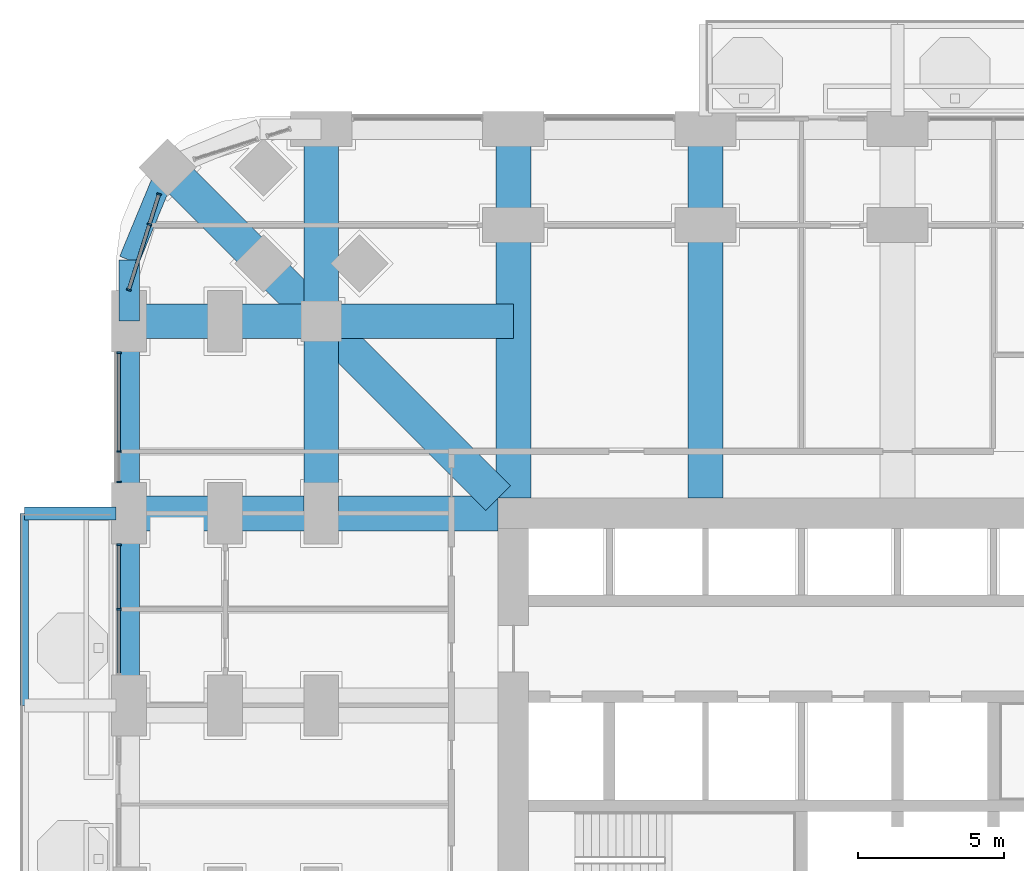
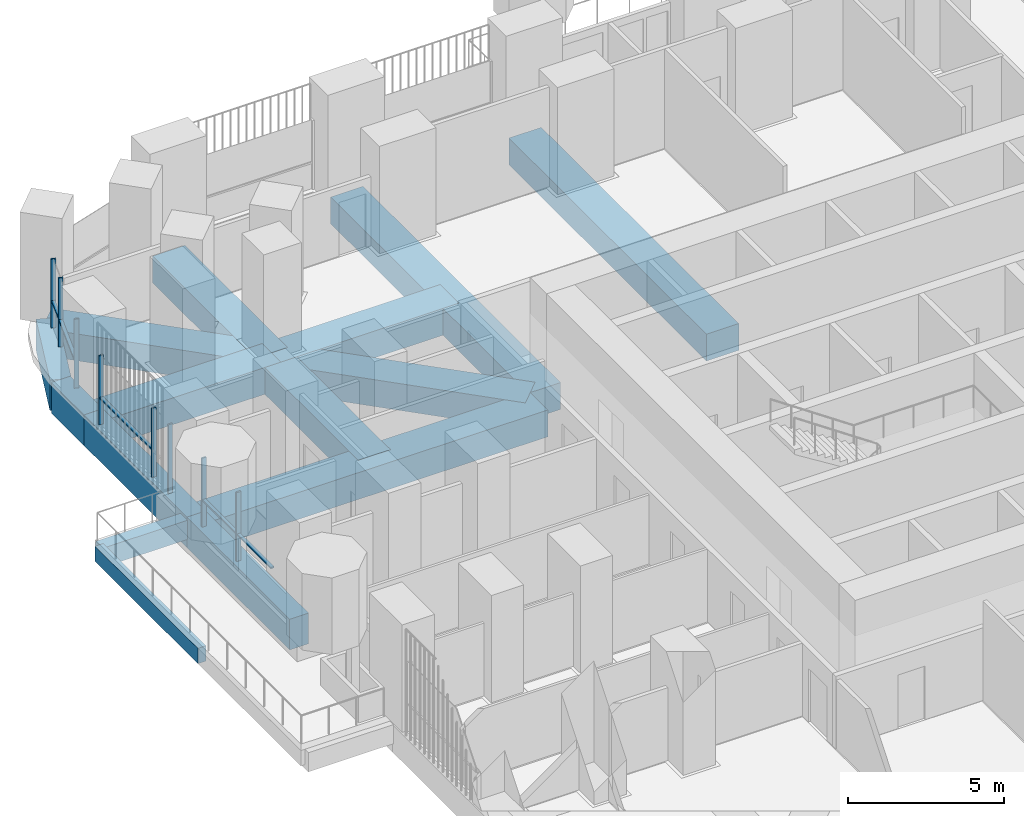
# One storey, part 6 of 26: 15 beams, 13 members, 3 elements without a shape of their own.
"""IFC4 building model written with IfcOpenShell, lengths in metres."""

import ifcopenshell
import ifcopenshell.guid

model = None  # the IFC model being written
_history = None  # IfcOwnerHistory: only IFC2X3 demands one
_inside = {}  # id of a spatial element -> (the spatial element, [elements in it])
_under = {}  # id of a project, library or spatial element -> (it, [spatial elements below it])
_declared = {}  # id of a project -> (the project, [libraries it declares])
_typed = {}  # id of a type object -> (the type object, [elements of that type])
_made_of = {}  # id of a material, layer set ... -> (it, [elements and type objects made of it])


def new_model(schema):
    """Start an empty IFC model of exactly this schema.

    Asked for "IFC4X3", IfcOpenShell would pick the latest addendum, in which some entities
    have other attributes; the version numbers below select the first issue.
    IFC2X3 requires an IfcOwnerHistory on every rooted entity: one is made here for all.
    """
    global model, _history
    if schema == "IFC4X3":
        model = ifcopenshell.file(schema_version=(4, 3, 0, 0))
    else:
        model = ifcopenshell.file(schema=schema)
    _inside.clear()
    _under.clear()
    _declared.clear()
    _typed.clear()
    _made_of.clear()
    _history = None
    if model.schema == "IFC2X3":
        org = make("IfcOrganization", Name="unknown")
        user = make(
            "IfcPersonAndOrganization",
            ThePerson=make("IfcPerson", FamilyName="unknown"),
            TheOrganization=org,
        )
        app = make(
            "IfcApplication",
            ApplicationDeveloper=org,
            Version="unknown",
            ApplicationFullName="unknown",
            ApplicationIdentifier="unknown",
        )
        _history = make(
            "IfcOwnerHistory",
            OwningUser=user,
            OwningApplication=app,
            ChangeAction="ADDED",
            CreationDate=0,
        )
    return model


def make(cls, **values):
    """One entity of the class cls with the attributes given. An attribute that is None is left unset."""
    return model.create_entity(
        cls, **{name: value for name, value in values.items() if value is not None}
    )


def rooted(cls, **values):
    """An entity with a GlobalId (a new one), such as an element, a storey or a relation."""
    return make(cls, GlobalId=ifcopenshell.guid.new(), OwnerHistory=_history, **values)


def si_unit(unit_type, name, prefix=None):
    """IfcSIUnit, for example si_unit("LENGTHUNIT", "METRE", prefix="MILLI")."""
    return make("IfcSIUnit", UnitType=unit_type, Prefix=prefix, Name=name)


def assignment(units):
    """IfcUnitAssignment: the units of a project."""
    return None if units is None else make("IfcUnitAssignment", Units=units)


def point(xyz):
    """IfcCartesianPoint."""
    return None if xyz is None else make("IfcCartesianPoint", Coordinates=xyz)


def direction(xyz):
    """IfcDirection."""
    return None if xyz is None else make("IfcDirection", DirectionRatios=xyz)


def frame(location, z_axis=None, x_axis=None):
    """IfcAxis2Placement3D, a coordinate frame: its origin and axes. An axis left out is left unset."""
    return make(
        "IfcAxis2Placement3D",
        Location=point(location),
        Axis=direction(z_axis),
        RefDirection=direction(x_axis),
    )


def frame_2d(location, x_axis=None):
    """IfcAxis2Placement2D, a coordinate frame in the plane: its origin and x axis."""
    return make(
        "IfcAxis2Placement2D", Location=point(location), RefDirection=direction(x_axis)
    )


def origin():
    """The frame at (0, 0, 0) with its axes left unset."""
    return frame((0.0, 0.0, 0.0))


def origin_2d():
    """The frame at (0, 0) in the plane with its x axis left unset."""
    return frame_2d((0.0, 0.0))


def place(relative_to, where):
    """IfcLocalPlacement: puts the frame where relative to a parent placement (None: the world)."""
    return make(
        "IfcLocalPlacement", PlacementRelTo=relative_to, RelativePlacement=where
    )


def context(
    kind, dimensions, precision=None, world=None, true_north=None, identifier=None
):
    """IfcGeometricRepresentationContext, for example the 3D "Model" context."""
    return make(
        "IfcGeometricRepresentationContext",
        ContextIdentifier=identifier,
        ContextType=kind,
        CoordinateSpaceDimension=dimensions,
        Precision=precision,
        WorldCoordinateSystem=world,
        TrueNorth=true_north,
    )


def subcontext(parent, identifier, kind, view, scale=None):
    """IfcGeometricRepresentationSubContext, for example "Body" below "Model"."""
    return make(
        "IfcGeometricRepresentationSubContext",
        ContextIdentifier=identifier,
        ContextType=kind,
        ParentContext=parent,
        TargetScale=scale,
        TargetView=view,
    )


def project(units=None, contexts=None):
    """IfcProject with its units and contexts."""
    return rooted(
        "IfcProject",
        Name="project",
        RepresentationContexts=contexts,
        UnitsInContext=assignment(units),
    )


def spatial(cls, under=None, at=None, **own):
    """A site, building, storey or space (cls), placed at a placement, below another one or the project."""
    s = rooted(cls, ObjectPlacement=at, **own)
    if under is not None:
        _under.setdefault(under.id(), (under, []))[1].append(s)
    return s


def profile(cls, at=None, kind="AREA", **sizes):
    """A parametric profile (cls). Its sizes go by their IFC names, for example OverallWidth=200.0."""
    return make(cls, ProfileType=kind, Position=at, **sizes)


def rectangle(**sizes):
    """IfcRectangleProfileDef."""
    return profile("IfcRectangleProfileDef", **sizes)


def extrude(swept, where, along, depth):
    """IfcExtrudedAreaSolid: the profile swept, set in the frame where, extruded along a direction by depth."""
    return make(
        "IfcExtrudedAreaSolid",
        SweptArea=swept,
        Position=where,
        ExtrudedDirection=direction(along),
        Depth=depth,
    )


def shape(context_of_items, identifier, shape_type, items):
    """IfcShapeRepresentation: the items that make up one representation, for example the "Body"."""
    return make(
        "IfcShapeRepresentation",
        ContextOfItems=context_of_items,
        RepresentationIdentifier=identifier,
        RepresentationType=shape_type,
        Items=items,
    )


def material(Name=None, Category=None):
    """IfcMaterial."""
    return make("IfcMaterial", Name=Name, Category=Category)


def material_profile(
    of_material, cross_section, Name=None, Category=None, Priority=None
):
    """IfcMaterialProfile: a cross section and its material."""
    return make(
        "IfcMaterialProfile",
        Name=Name,
        Material=of_material,
        Profile=cross_section,
        Priority=Priority,
        Category=Category,
    )


def profile_set(profiles, Name=None, composite=None):
    """IfcMaterialProfileSet."""
    return make(
        "IfcMaterialProfileSet",
        Name=Name,
        MaterialProfiles=profiles,
        CompositeProfile=composite,
    )


def made_of(thing, what):
    """Note that an element or type object is made of a material, layer set ...; save() writes the relation."""
    if what is not None:
        _made_of.setdefault(what.id(), (what, []))[1].append(thing)
    return thing


def type_object(cls, material=None, **own):
    """A type object (cls), such as IfcWallType, which elements share."""
    return made_of(rooted(cls, **own), material)


def element(
    cls,
    number,
    at=None,
    inside=None,
    cuts=None,
    type_object=None,
    material=None,
    context=None,
    identifier="Body",
    shape_type=None,
    held_by="IfcProductDefinitionShape",
    body=None,
    shapes=None,
    **own,
):
    """One element of the class cls, such as IfcWall. Its Tag is "e" and its number.

    at: its placement. inside: the storey or other place that contains it. cuts: it is an
    opening in that element (IfcRelVoidsElement). A single representation is given by context,
    identifier, shape_type and body (its items); several are given by shapes. held_by: the class
    of the entity that holds the representations. save() writes the other relations.
    """
    e = rooted(cls, Tag="e%d" % number, ObjectPlacement=at, **own)
    if body is not None:
        shapes = [shape(context, identifier, shape_type, body)]
    if shapes is not None:
        e.Representation = make(held_by, Representations=shapes)
    if inside is not None:
        _inside.setdefault(inside.id(), (inside, []))[1].append(e)
    if cuts is not None:
        rooted(
            "IfcRelVoidsElement", RelatingBuildingElement=cuts, RelatedOpeningElement=e
        )
    if type_object is not None:
        _typed.setdefault(type_object.id(), (type_object, []))[1].append(e)
    return made_of(e, material)


def aggregate(whole, parts):
    """IfcRelAggregates: a whole, such as a stair, and the parts it consists of."""
    return rooted("IfcRelAggregates", RelatingObject=whole, RelatedObjects=parts)


def save(model, path):
    """Write the relations noted so far, then the file.

    IfcRelAggregates (storeys below a building ...), IfcRelContainedInSpatialStructure (elements
    in a storey), IfcRelDefinesByType, IfcRelAssociatesMaterial and IfcRelDeclares: one each for
    every whole, place, type object, material and project.
    """
    for whole, parts in _under.values():
        aggregate(whole, parts)
    for where, things in _inside.values():
        rooted(
            "IfcRelContainedInSpatialStructure",
            RelatedElements=things,
            RelatingStructure=where,
        )
    for kind, things in _typed.values():
        rooted("IfcRelDefinesByType", RelatedObjects=things, RelatingType=kind)
    for what, things in _made_of.values():
        rooted("IfcRelAssociatesMaterial", RelatedObjects=things, RelatingMaterial=what)
    for by, libraries in _declared.values():
        rooted("IfcRelDeclares", RelatingContext=by, RelatedDefinitions=libraries)
    model.write(path)


model = new_model("IFC4")

# Units and contexts
model_context = context("Model", 3, precision=1e-05, world=origin(), true_north=direction((0.0, 1.0)))
body_context = subcontext(model_context, "Body", "Model", "MODEL_VIEW")
ifc_project = project(units=[si_unit("LENGTHUNIT", "METRE"), si_unit("AREAUNIT", "SQUARE_METRE"), si_unit("VOLUMEUNIT", "CUBIC_METRE"), si_unit("PLANEANGLEUNIT", "RADIAN"), si_unit("MASSUNIT", "GRAM", prefix="KILO")], contexts=[model_context])

# Site, building, storey
site_placement = place(None, origin())
site = spatial("IfcSite", under=ifc_project, at=site_placement, CompositionType="ELEMENT")
building_placement = place(site_placement, origin())
building = spatial("IfcBuilding", under=site, at=building_placement, Name="Cobogo Forest Laboratory Tower", CompositionType="ELEMENT")
storey_placement = place(building_placement, frame((0.0, 0.0, 33.89990234375)))
storey = spatial("IfcBuildingStorey", under=building, at=storey_placement, Name="L07", CompositionType="ELEMENT", Elevation=33.89990234375)

# Beams
ifc_material_1 = material(Name="Concrete HA-40 (C40/50)", Category="concrete")
ifc_material_profile_1 = material_profile(ifc_material_1, rectangle(XDim=0.449951171875, YDim=0.75, at=origin_2d()), Name="RC 450x750")
ifc_profile_set_1 = profile_set([ifc_material_profile_1], Name="Concrete HA-40 (C40/50)")
beam_type_1 = type_object("IfcBeamType", Name="Balcony cantilever beam 450x750", PredefinedType="BEAM", material=ifc_profile_set_1)
beam_1_placement = place(storey_placement, frame((-0.449951171875, 33.0, -0.625), z_axis=(-1.0, 0.0, 0.0), x_axis=(0.0, -1.0, 0.0)))
element("IfcBeam", 1, at=beam_1_placement, inside=storey, type_object=beam_type_1, Name="CB1 BAL-W1-C3 L07", PredefinedType="BEAM", context=body_context, shape_type="SweptSolid", body=[
    extrude(rectangle(XDim=0.449951171875, YDim=0.75, at=origin_2d()), origin(), (0.0, 0.0, 1.0), 3.150146484375),
])
ifc_material_profile_2 = material_profile(ifc_material_1, rectangle(XDim=0.300048828125, YDim=0.60009765625, at=origin_2d()), Name="RC 300x600")
ifc_profile_set_2 = profile_set([ifc_material_profile_2], Name="Concrete HA-40 (C40/50)")
beam_type_2 = type_object("IfcBeamType", Name="Balcony edge beam 300x600", PredefinedType="BEAM", material=ifc_profile_set_2)
beam_2_placement = place(storey_placement, frame((-3.60009765625, 26.39990234375, -0.5498046875), z_axis=(0.0, 1.0, 0.0), x_axis=(-1.0, 0.0, 0.0)))
element("IfcBeam", 2, at=beam_2_placement, inside=storey, type_object=beam_type_2, Name="BB1 BAL-W1-T2 L07", PredefinedType="BEAM", context=body_context, shape_type="SweptSolid", body=[
    extrude(rectangle(XDim=0.300048828125, YDim=0.60009765625, at=origin_2d()), origin(), (0.0, 0.0, 1.0), 6.60009765625),
])
ifc_material_profile_3 = material_profile(ifc_material_1, rectangle(XDim=1.199951171875, YDim=1.050048828125, at=origin_2d()), Name="RC 1200x1050")
ifc_profile_set_3 = profile_set([ifc_material_profile_3], Name="Concrete HA-40 (C40/50)")
beam_type_3 = type_object("IfcBeamType", Name="Laboratory floor wide beam 1200x1050", PredefinedType="BEAM", material=ifc_profile_set_3)
for number, where, z_axis, x_axis, name in (
    (3, (13.199951171875, 33.52490234375, -0.824951171875), (0.0, 1.0, 0.0), (-1.0, 0.0, 0.0), "RB1 R-3-N L07"),
    (4, (19.800048828125, 33.52490234375, -0.824951171875), (0.0, 1.0, 0.0), (-1.0, 0.0, 0.0), "RB1 R-4-N L07"),
    (5, (12.675048828125, 33.0, -0.824951171875), (-1.0, 0.0, 0.0), (0.0, -1.0, 0.0), "RB1 R-F-W L07"),
):
    element("IfcBeam", number, at=place(storey_placement, frame(where, z_axis=z_axis, x_axis=x_axis)), inside=storey, type_object=beam_type_3, Name=name, PredefinedType="BEAM", context=body_context, shape_type="SweptSolid", body=[
        extrude(rectangle(XDim=1.199951171875, YDim=1.050048828125, at=origin_2d()), origin(), (0.0, 0.0, 1.0), 12.675048828125),
    ])
beam_3_placement = place(storey_placement, frame((6.60009765625, 46.199951171875, -0.824951171875), z_axis=(0.0, -1.0, 0.0), x_axis=(1.0, 0.0, 0.0)))
element("IfcBeam", 6, at=beam_3_placement, inside=storey, type_object=beam_type_3, Name="RB1 G-NW-XF L07", PredefinedType="BEAM", context=body_context, shape_type="SweptSolid", body=[
    extrude(rectangle(XDim=1.199951171875, YDim=1.050048828125, at=origin_2d()), origin(), (0.0, 0.0, 1.0), 6.599853515625),
])
for number, where, z_axis, x_axis, name in (
    (7, (6.60009765625, 39.60009765625, -0.824951171875), (0.0, -1.0, 0.0), (1.0, 0.0, 0.0), "RB1 G-NW-XC L07"),
    (8, (0.0, 39.60009765625, -0.824951171875), (1.0, 0.0, 0.0), (0.0, 1.0, 0.0), "RB1 G-NW-YF L07"),
):
    element("IfcBeam", number, at=place(storey_placement, frame(where, z_axis=z_axis, x_axis=x_axis)), inside=storey, type_object=beam_type_3, Name=name, PredefinedType="BEAM", context=body_context, shape_type="SweptSolid", body=[
        extrude(rectangle(XDim=1.199951171875, YDim=1.050048828125, at=origin_2d()), origin(), (0.0, 0.0, 1.0), 6.60009765625),
    ])
beam_4_placement = place(storey_placement, frame((6.60009765625, 39.60009765625, -0.824951171875), z_axis=(1.0, 0.0, 0.0), x_axis=(0.0, 1.0, 0.0)))
element("IfcBeam", 9, at=beam_4_placement, inside=storey, type_object=beam_type_3, Name="RB1 G-NW-YC L07", PredefinedType="BEAM", context=body_context, shape_type="SweptSolid", body=[
    extrude(rectangle(XDim=1.199951171875, YDim=1.050048828125, at=origin_2d()), origin(), (0.0, 0.0, 1.0), 6.599853515625),
])
beam_5_placement = place(storey_placement, frame((1.318115234375, 44.882080078125, -0.824951171875), z_axis=(0.707106781187, -0.707106781187, 0.0), x_axis=(0.707106781187, 0.707106781187, 0.0)))
element("IfcBeam", 10, at=beam_5_placement, inside=storey, type_object=beam_type_3, Name="RB1 G-NW-D1 L07", PredefinedType="BEAM", context=body_context, shape_type="SweptSolid", body=[
    extrude(rectangle(XDim=1.199951171875, YDim=1.050048828125, at=origin_2d()), origin(), (0.0, 0.0, 1.0), 7.469970703125),
])
beam_6_placement = place(storey_placement, frame((6.60009765625, 39.60009765625, -0.824951171875), z_axis=(0.707092572697, -0.70712098939, 0.0), x_axis=(0.70712098939, 0.707092572697, 0.0)))
element("IfcBeam", 11, at=beam_6_placement, inside=storey, type_object=beam_type_3, Name="RB1 G-NW-D2 L07", PredefinedType="BEAM", context=body_context, shape_type="SweptSolid", body=[
    extrude(rectangle(XDim=1.199951171875, YDim=1.050048828125, at=origin_2d()), origin(), (0.0, 0.0, 1.0), 8.591552734375),
])

# Curtain wall, members
ifc_material_2 = material(Name="Aluminium curtain wall", Category="aluminium")
curtain_wall_type = type_object("IfcCurtainWallType", Name="CW-1 unitised curtain wall, clear glazing, laboratory floors zones A and B", PredefinedType="USERDEFINED", material=ifc_material_2)
curtain_wall_1_placement = place(storey_placement, origin())
curtain_wall_1 = element("IfcCurtainWall", 12, at=curtain_wall_1_placement, inside=storey, type_object=curtain_wall_type, Name="Curtain wall 26 L07", ObjectType="UNITISED CURTAIN WALL", PredefinedType="USERDEFINED")
ifc_material_3 = material(Name="Aluminium mullion", Category="aluminium")
ifc_material_profile_4 = material_profile(ifc_material_3, rectangle(XDim=0.06005859375, YDim=0.159912109375, at=origin_2d()), Name="AL 60x160")
ifc_profile_set_4 = profile_set([ifc_material_profile_4], Name="Aluminium mullion")
member_type_1 = type_object("IfcMemberType", Name="MU-1 aluminium mullion 60x160", PredefinedType="MULLION", material=ifc_profile_set_4)
member_1_placement = place(storey_placement, frame((1.02734375, 43.961181640625, 0.0), z_axis=(0.0, 0.0, 1.0), x_axis=(-0.30113535792, -0.95358140513, 0.0)))
member_1 = element("IfcMember", 13, at=member_1_placement, type_object=member_type_1, Name="CW-1 mullion 1", PredefinedType="MULLION", context=body_context, shape_type="SweptSolid", body=[
    extrude(rectangle(XDim=0.06005859375, YDim=0.159912109375, at=origin_2d()), origin(), (0.0, 0.0, 1.0), 2.7001953125),
])
member_2_placement = place(storey_placement, frame((0.69970703125, 42.924072265625, 0.0), z_axis=(0.0, 0.0, 1.0), x_axis=(-0.30113535792, -0.95358140513, 0.0)))
member_2 = element("IfcMember", 14, at=member_2_placement, type_object=member_type_1, Name="CW-1 mullion 2", PredefinedType="MULLION", context=body_context, shape_type="SweptSolid", body=[
    extrude(rectangle(XDim=0.06005859375, YDim=0.159912109375, at=origin_2d()), origin(), (0.0, 0.0, 1.0), 2.7001953125),
])
member_3_placement = place(storey_placement, frame((-0.00927734375, 40.6787109375, 0.0), z_axis=(0.0, 0.0, 1.0), x_axis=(-0.30113535792, -0.95358140513, 0.0)))
member_3 = element("IfcMember", 15, at=member_3_placement, type_object=member_type_1, Name="CW-1 mullion 3", PredefinedType="MULLION", context=body_context, shape_type="SweptSolid", body=[
    extrude(rectangle(XDim=0.06005859375, YDim=0.159912109375, at=origin_2d()), origin(), (0.0, 0.0, 1.0), 2.7001953125),
])

curtain_wall_2_placement = place(storey_placement, origin())
curtain_wall_2 = element("IfcCurtainWall", 16, at=curtain_wall_2_placement, inside=storey, type_object=curtain_wall_type, Name="Curtain wall 27 L07", ObjectType="UNITISED CURTAIN WALL", PredefinedType="USERDEFINED")
member_4_placement = place(storey_placement, frame((-0.35009765625, 38.52001953125, 0.0), z_axis=(0.0, 0.0, 1.0), x_axis=(0.0, -1.0, 0.0)))
member_4 = element("IfcMember", 17, at=member_4_placement, type_object=member_type_1, Name="CW-1 mullion 1", PredefinedType="MULLION", context=body_context, shape_type="SweptSolid", body=[
    extrude(rectangle(XDim=0.06005859375, YDim=0.159912109375, at=origin_2d()), origin(), (0.0, 0.0, 1.0), 2.7001953125),
])
member_5_placement = place(storey_placement, frame((-0.35009765625, 35.125, 0.0), z_axis=(0.0, 0.0, 1.0), x_axis=(0.0, -1.0, 0.0)))
member_5 = element("IfcMember", 18, at=member_5_placement, type_object=member_type_1, Name="CW-1 mullion 2", PredefinedType="MULLION", context=body_context, shape_type="SweptSolid", body=[
    extrude(rectangle(XDim=0.06005859375, YDim=0.159912109375, at=origin_2d()), origin(), (0.0, 0.0, 1.0), 2.7001953125),
])
member_6_placement = place(storey_placement, frame((-0.35009765625, 34.080078125, 0.0), z_axis=(0.0, 0.0, 1.0), x_axis=(0.0, -1.0, 0.0)))
member_6 = element("IfcMember", 19, at=member_6_placement, type_object=member_type_1, Name="CW-1 mullion 3", PredefinedType="MULLION", context=body_context, shape_type="SweptSolid", body=[
    extrude(rectangle(XDim=0.06005859375, YDim=0.159912109375, at=origin_2d()), origin(), (0.0, 0.0, 1.0), 2.7001953125),
])

curtain_wall_3_placement = place(storey_placement, origin())
curtain_wall_3 = element("IfcCurtainWall", 20, at=curtain_wall_3_placement, inside=storey, type_object=curtain_wall_type, Name="Curtain wall 28 L07", ObjectType="UNITISED CURTAIN WALL", PredefinedType="USERDEFINED")
member_7_placement = place(storey_placement, frame((-0.35009765625, 31.919921875, 0.0), z_axis=(0.0, 0.0, 1.0), x_axis=(0.0, -1.0, 0.0)))
member_7 = element("IfcMember", 21, at=member_7_placement, type_object=member_type_1, Name="CW-1 mullion 1", PredefinedType="MULLION", context=body_context, shape_type="SweptSolid", body=[
    extrude(rectangle(XDim=0.06005859375, YDim=0.159912109375, at=origin_2d()), origin(), (0.0, 0.0, 1.0), 2.7001953125),
])
member_8_placement = place(storey_placement, frame((-0.35009765625, 29.699951171875, 0.0), z_axis=(0.0, 0.0, 1.0), x_axis=(0.0, -1.0, 0.0)))
member_8 = element("IfcMember", 22, at=member_8_placement, type_object=member_type_1, Name="CW-1 mullion 2", PredefinedType="MULLION", context=body_context, shape_type="SweptSolid", body=[
    extrude(rectangle(XDim=0.06005859375, YDim=0.159912109375, at=origin_2d()), origin(), (0.0, 0.0, 1.0), 2.7001953125),
])

# Beams
ifc_material_profile_5 = material_profile(ifc_material_1, rectangle(XDim=0.699951171875, YDim=1.199951171875, at=origin_2d()), Name="RC 700x1200")
ifc_profile_set_5 = profile_set([ifc_material_profile_5], Name="Concrete HA-40 (C40/50)")
beam_type_4 = type_object("IfcBeamType", Name="Perimeter edge beam 700x1200", PredefinedType="BEAM", material=ifc_profile_set_5)
for number, where, z_axis, x_axis, name in (
    (23, (0.0, 26.39990234375, -0.89990234375), (0.0, 1.0, 0.0), (-1.0, 0.0, 0.0), "EB1 E-W4 L07"),
    (24, (0.0, 33.0, -0.89990234375), (0.0, 1.0, 0.0), (-1.0, 0.0, 0.0), "EB1 E-W5 L07"),
):
    element("IfcBeam", number, at=place(storey_placement, frame(where, z_axis=z_axis, x_axis=x_axis)), inside=storey, type_object=beam_type_4, Name=name, PredefinedType="BEAM", context=body_context, shape_type="SweptSolid", body=[
        extrude(rectangle(XDim=0.699951171875, YDim=1.199951171875, at=origin_2d()), origin(), (0.0, 0.0, 1.0), 6.60009765625),
    ])
beam_7_placement = place(storey_placement, frame((0.0, 39.60009765625, -0.89990234375), z_axis=(0.0, 1.0, 0.0), x_axis=(-1.0, 0.0, 0.0)))
element("IfcBeam", 25, at=beam_7_placement, inside=storey, type_object=beam_type_4, Name="EB1 E-NWW1 L07", PredefinedType="BEAM", context=body_context, shape_type="SweptSolid", body=[
    extrude(rectangle(XDim=0.699951171875, YDim=1.199951171875, at=origin_2d()), origin(), (0.0, 0.0, 1.0), 2.099853515625),
])
beam_8_placement = place(storey_placement, frame((0.0, 41.699951171875, -0.89990234375), z_axis=(0.382691928466, 0.923876013265, 0.0), x_axis=(-0.923876013265, 0.382691928466, 0.0)))
element("IfcBeam", 26, at=beam_8_placement, inside=storey, type_object=beam_type_4, Name="EB1 E-NWW2 L07", PredefinedType="BEAM", context=body_context, shape_type="SweptSolid", body=[
    extrude(rectangle(XDim=0.699951171875, YDim=1.199951171875, at=origin_2d()), origin(), (0.0, 0.0, 1.0), 3.4443359375),
])

# Member
ifc_material_4 = material(Name="Aluminium transom", Category="aluminium")
ifc_material_profile_6 = material_profile(ifc_material_4, rectangle(XDim=0.1201171875, YDim=0.06005859375, at=origin_2d()), Name="AL 60x120")
ifc_profile_set_6 = profile_set([ifc_material_profile_6], Name="Aluminium transom")
member_type_2 = type_object("IfcMemberType", Name="TR-1 aluminium transom 60x120", PredefinedType="USERDEFINED", material=ifc_profile_set_6)
member_9_placement = place(storey_placement, frame((1.018310546875, 43.9326171875, 1.050048828125), z_axis=(-0.301222320394, -0.953553938535, 0.0), x_axis=(0.953553938535, -0.301222320394, 0.0)))
member_9 = element("IfcMember", 27, at=member_9_placement, type_object=member_type_2, Name="CW-1 transom 1.1", ObjectType="TRANSOM", PredefinedType="USERDEFINED", context=body_context, shape_type="SweptSolid", body=[
    extrude(rectangle(XDim=0.1201171875, YDim=0.06005859375, at=origin_2d()), origin(), (0.0, 0.0, 1.0), 1.02783203125),
])

member_10_placement = place(storey_placement, frame((0.690673828125, 42.8955078125, 1.050048828125), z_axis=(-0.301090633022, -0.953595527835, 0.0), x_axis=(0.953595527835, -0.301090633022, 0.0)))
member_10 = element("IfcMember", 28, at=member_10_placement, type_object=member_type_2, Name="CW-1 transom 2.1", ObjectType="TRANSOM", PredefinedType="USERDEFINED", context=body_context, shape_type="SweptSolid", body=[
    extrude(rectangle(XDim=0.1201171875, YDim=0.06005859375, at=origin_2d()), origin(), (0.0, 0.0, 1.0), 2.294677734375),
])

aggregate(curtain_wall_1, [member_1, member_2, member_3, member_9, member_10])

member_11_placement = place(storey_placement, frame((-0.35009765625, 38.489990234375, 1.050048828125), z_axis=(0.0, -1.0, 0.0), x_axis=(1.0, 0.0, 0.0)))
member_11 = element("IfcMember", 29, at=member_11_placement, type_object=member_type_2, Name="CW-1 transom 1.1", ObjectType="TRANSOM", PredefinedType="USERDEFINED", context=body_context, shape_type="SweptSolid", body=[
    extrude(rectangle(XDim=0.1201171875, YDim=0.06005859375, at=origin_2d()), origin(), (0.0, 0.0, 1.0), 3.3349609375),
])

aggregate(curtain_wall_2, [member_4, member_5, member_6, member_11])

member_12_placement = place(storey_placement, frame((-0.35009765625, 31.889892578125, 1.050048828125), z_axis=(0.0, -1.0, 0.0), x_axis=(1.0, 0.0, 0.0)))
member_12 = element("IfcMember", 30, at=member_12_placement, type_object=member_type_2, Name="CW-1 transom 1.1", ObjectType="TRANSOM", PredefinedType="USERDEFINED", context=body_context, shape_type="SweptSolid", body=[
    extrude(rectangle(XDim=0.1201171875, YDim=0.06005859375, at=origin_2d()), origin(), (0.0, 0.0, 1.0), 2.159912109375),
])

member_13_placement = place(storey_placement, frame((-0.35009765625, 29.669921875, 1.050048828125), z_axis=(0.0, -1.0, 0.0), x_axis=(1.0, 0.0, 0.0)))
member_13 = element("IfcMember", 31, at=member_13_placement, type_object=member_type_2, Name="CW-1 transom 2.1", ObjectType="TRANSOM", PredefinedType="USERDEFINED", context=body_context, shape_type="SweptSolid", body=[
    extrude(rectangle(XDim=0.1201171875, YDim=0.06005859375, at=origin_2d()), origin(), (0.0, 0.0, 1.0), 2.159912109375),
])

aggregate(curtain_wall_3, [member_7, member_8, member_12, member_13])

save(model, "model.ifc")
